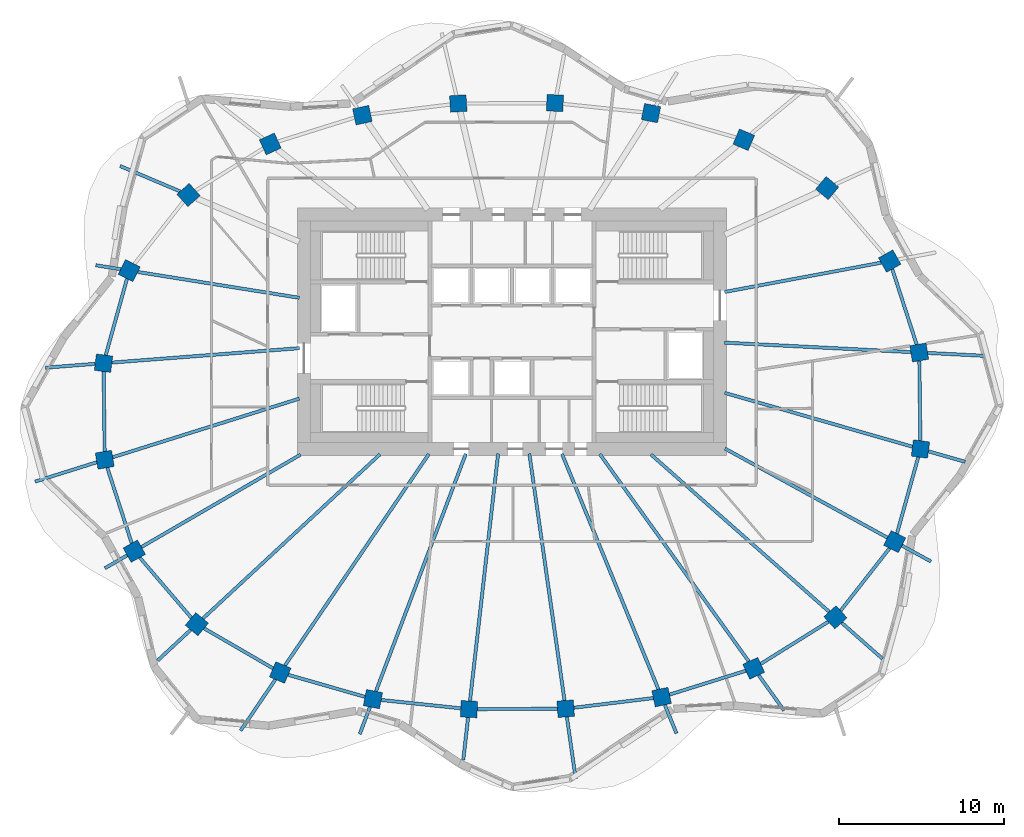
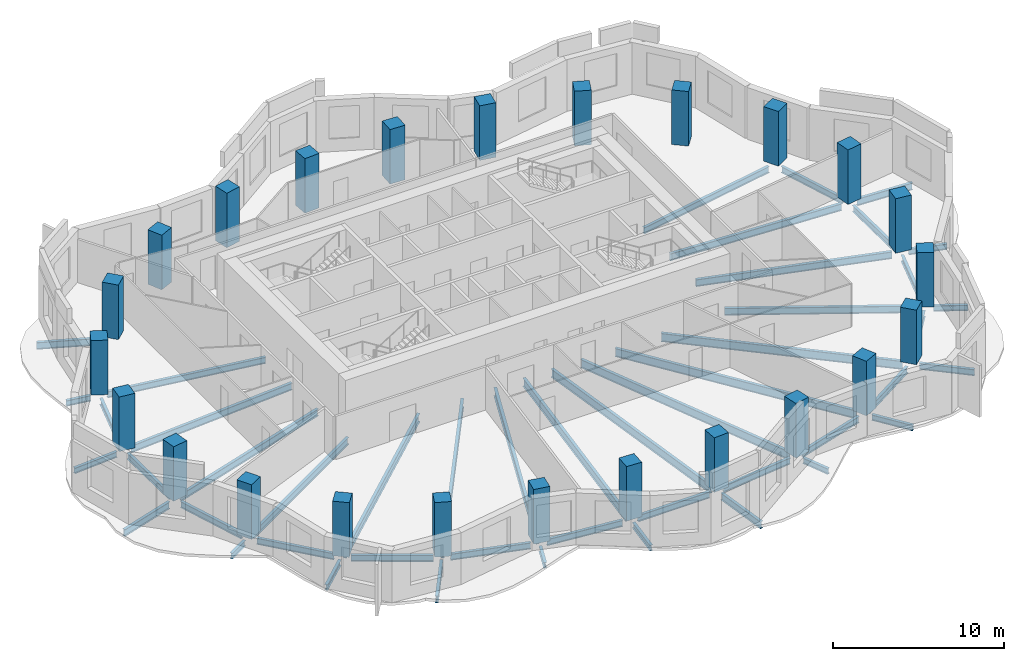
# One storey, part 1 of 9: 47 beams, 24 columns.
"""IFC4 building model written with IfcOpenShell, lengths in metres."""

from ifc_helpers import new_model, si_unit, direction, frame, origin, origin_2d, place, context, subcontext, project, spatial, rectangle, i_section, extrude, material, material_profile, profile_set, type_object, element, save


model = new_model("IFC4")

# Units and contexts
model_context = context("Model", 3, precision=1e-05, world=origin(), true_north=direction((0.0, 1.0)))
body_context = subcontext(model_context, "Body", "Model", "MODEL_VIEW")
ifc_project = project(units=[si_unit("LENGTHUNIT", "METRE"), si_unit("AREAUNIT", "SQUARE_METRE"), si_unit("VOLUMEUNIT", "CUBIC_METRE"), si_unit("PLANEANGLEUNIT", "RADIAN"), si_unit("MASSUNIT", "GRAM", prefix="KILO")], contexts=[model_context])

# Site, building, storey
site_placement = place(None, origin())
site = spatial("IfcSite", under=ifc_project, at=site_placement, CompositionType="ELEMENT")
building_placement = place(site_placement, origin())
building = spatial("IfcBuilding", under=site, at=building_placement, Name="Rubra Terraces Tower", CompositionType="ELEMENT")
storey_placement = place(building_placement, frame((0.0, 0.0, 248.699951171875)))
storey = spatial("IfcBuildingStorey", under=building, at=storey_placement, Name="L61", CompositionType="ELEMENT", Elevation=248.699951171875)

# Columns
ifc_material_1 = material(Name="Concrete C50", Category="concrete")
ifc_material_profile_1 = material_profile(ifc_material_1, rectangle(XDim=1.0, YDim=1.0, at=origin_2d()), Name="RC 1000x1000")
ifc_profile_set_1 = profile_set([ifc_material_profile_1], Name="Concrete C50")
column_type = type_object("IfcColumnType", Name="RING COLUMN RC 1000x1000 C50", PredefinedType="COLUMN", material=ifc_profile_set_1)
for number, where, z_axis, x_axis, name in (
    (1, (24.6689453125, 3.248046875, 0.0), (0.0, 0.0, 1.0), (-0.161559167715, 0.986863027642, 0.0), "column-L61-ring-01"),
    (2, (22.87890625, 8.787109375, 0.0), (0.0, 0.0, 1.0), (-0.48852601316, 0.872549330678, 0.0), "column-L61-ring-02"),
    (3, (19.092041015625, 13.208984375, 0.0), (0.0, 0.0, 1.0), (-0.76886986222, 0.63940529789, 0.0), "column-L61-ring-03"),
    (4, (14.0419921875, 16.135986328125, 0.0), (0.0, 0.0, 1.0), (-0.920167856842, 0.391524092789, 0.0), "column-L61-ring-04"),
    (5, (8.422119140625, 17.7490234375, 0.0), (0.0, 0.0, 1.0), (-0.981654668733, 0.19066754143, 0.0), "column-L61-ring-05"),
    (6, (2.60205078125, 18.35791015625, 0.0), (0.0, 0.0, 1.0), (-0.998764256028, 0.049698700995, 0.0), "column-L61-ring-06"),
    (7, (-3.25390625, 18.330078125, 0.0), (0.0, 0.0, 1.0), (-0.998031548759, -0.062713855578, 0.0), "column-L61-ring-07"),
    (8, (-9.06298828125, 17.625, 0.0), (0.0, 0.0, 1.0), (-0.977652674797, -0.210226657352, 0.0), "column-L61-ring-08"),
    (9, (-14.64306640625, 15.881103515625, 0.0), (0.0, 0.0, 1.0), (-0.908778580451, -0.417278673927, 0.0), "column-L61-ring-09"),
    (10, (-19.593017578125, 12.7900390625, 0.0), (0.0, 0.0, 1.0), (-0.744021317198, -0.668155879683, 0.0), "column-L61-ring-10"),
    (11, (-23.18505859375, 8.2099609375, 0.0), (0.0, 0.0, 1.0), (-0.451027931402, -0.892509834733, 0.0), "column-L61-ring-11"),
    (12, (-24.742919921875, 2.59912109375, 0.0), (0.0, 0.0, 1.0), (-0.128443684554, -0.991716804283, 0.0), "column-L61-ring-12"),
    (13, (-24.6689453125, -3.248046875, 0.0), (0.0, 0.0, 1.0), (0.161559167715, -0.986863027642, 0.0), "column-L61-ring-13"),
    (14, (-22.87890625, -8.787109375, 0.0), (0.0, 0.0, 1.0), (0.48852601316, -0.872549330678, 0.0), "column-L61-ring-14"),
    (15, (-19.092041015625, -13.208984375, 0.0), (0.0, 0.0, 1.0), (0.76886986222, -0.63940529789, 0.0), "column-L61-ring-15"),
    (16, (-14.0419921875, -16.135986328125, 0.0), (0.0, 0.0, 1.0), (0.920167856842, -0.391524092789, 0.0), "column-L61-ring-16"),
    (17, (-8.422119140625, -17.7490234375, 0.0), (0.0, 0.0, 1.0), (0.981654668733, -0.19066754143, 0.0), "column-L61-ring-17"),
    (18, (-2.60205078125, -18.35791015625, 0.0), (0.0, 0.0, 1.0), (0.998764256028, -0.049698700995, 0.0), "column-L61-ring-18"),
    (19, (3.25390625, -18.330078125, 0.0), (0.0, 0.0, 1.0), (0.998031548759, 0.062713855578, 0.0), "column-L61-ring-19"),
    (20, (9.06298828125, -17.625, 0.0), (0.0, 0.0, 1.0), (0.977652674797, 0.210226657352, 0.0), "column-L61-ring-20"),
    (21, (14.64306640625, -15.881103515625, 0.0), (0.0, 0.0, 1.0), (0.908778580451, 0.417278673927, 0.0), "column-L61-ring-21"),
    (22, (19.593017578125, -12.7900390625, 0.0), (0.0, 0.0, 1.0), (0.744021317198, 0.668155879683, 0.0), "column-L61-ring-22"),
    (23, (23.18505859375, -8.2099609375, 0.0), (0.0, 0.0, 1.0), (0.451027931402, 0.892509834733, 0.0), "column-L61-ring-23"),
    (24, (24.742919921875, -2.59912109375, 0.0), (0.0, 0.0, 1.0), (0.128443684554, 0.991716804283, 0.0), "column-L61-ring-24"),
):
    element("IfcColumn", number, at=place(storey_placement, frame(where, z_axis=z_axis, x_axis=x_axis)), inside=storey, type_object=column_type, Name=name, PredefinedType="COLUMN", context=body_context, shape_type="SweptSolid", body=[
        extrude(rectangle(XDim=1.0, YDim=1.0, at=origin_2d()), origin(), (0.0, 0.0, 1.0), 3.900146484375),
    ])

# Beams
ifc_material_2 = material(Name="Steel Q355B", Category="steel")
ifc_material_profile_2 = material_profile(ifc_material_2, i_section(OverallWidth=0.199951171875, OverallDepth=0.39990234375, WebThickness=0.008056640625, FlangeThickness=0.012939453125, at=origin_2d()), Name="HN 400x200x8x13")
ifc_profile_set_2 = profile_set([ifc_material_profile_2], Name="Steel Q355B")
beam_type_1 = type_object("IfcBeamType", Name="CANTILEVER BEAM HN 400x200x8x13", PredefinedType="BEAM", material=ifc_profile_set_2)
beam_1_placement = place(storey_placement, frame((-23.702880859375, 8.29296875, -0.39990234375), z_axis=(-0.987457595878, 0.15788443984, 0.0), x_axis=(-0.15788443984, -0.987457595878, 0.0)))
element("IfcBeam", 25, at=beam_1_placement, inside=storey, type_object=beam_type_1, Name="beam-L61-cant-11", PredefinedType="BEAM", context=body_context, shape_type="SweptSolid", body=[
    extrude(i_section(OverallWidth=0.199951171875, OverallDepth=0.39990234375, WebThickness=0.008056640625, FlangeThickness=0.012939453125, at=origin_2d()), origin(), (0.0, 0.0, 1.0), 1.526123046875),
])
beam_2_placement = place(storey_placement, frame((-25.251953125, 2.56005859375, -0.39990234375), z_axis=(-0.997072601127, -0.076460630923, 0.0), x_axis=(0.076460630923, -0.997072601127, 0.0)))
element("IfcBeam", 26, at=beam_2_placement, inside=storey, type_object=beam_type_1, Name="beam-L61-cant-12", PredefinedType="BEAM", context=body_context, shape_type="SweptSolid", body=[
    extrude(i_section(OverallWidth=0.199951171875, OverallDepth=0.39990234375, WebThickness=0.008056640625, FlangeThickness=0.012939453125, at=origin_2d()), origin(), (0.0, 0.0, 1.0), 3.0078125),
])
beam_3_placement = place(storey_placement, frame((-23.31103515625, -9.0380859375, -0.39990234375), z_axis=(-0.864659295888, -0.502358738387, 0.0), x_axis=(0.502358738387, -0.864659295888, 0.0)))
element("IfcBeam", 27, at=beam_3_placement, inside=storey, type_object=beam_type_1, Name="beam-L61-cant-14", PredefinedType="BEAM", context=body_context, shape_type="SweptSolid", body=[
    extrude(i_section(OverallWidth=0.199951171875, OverallDepth=0.39990234375, WebThickness=0.008056640625, FlangeThickness=0.012939453125, at=origin_2d()), origin(), (0.0, 0.0, 1.0), 1.556640625),
])
beam_4_placement = place(storey_placement, frame((-19.4619140625, -13.552001953125, -0.39990234375), z_axis=(-0.733087511933, -0.680134324856, 0.0), x_axis=(0.680134324856, -0.733087511933, 0.0)))
element("IfcBeam", 28, at=beam_4_placement, inside=storey, type_object=beam_type_1, Name="beam-L61-cant-15", PredefinedType="BEAM", context=body_context, shape_type="SweptSolid", body=[
    extrude(i_section(OverallWidth=0.199951171875, OverallDepth=0.39990234375, WebThickness=0.008056640625, FlangeThickness=0.012939453125, at=origin_2d()), origin(), (0.0, 0.0, 1.0), 2.72021484375),
])
beam_5_placement = place(storey_placement, frame((-8.60205078125, -18.222900390625, -0.39990234375), z_axis=(-0.353652069822, -0.935377043502, 0.0), x_axis=(0.935377043502, -0.353652069822, 0.0)))
element("IfcBeam", 29, at=beam_5_placement, inside=storey, type_object=beam_type_1, Name="beam-L61-cant-17", PredefinedType="BEAM", context=body_context, shape_type="SweptSolid", body=[
    extrude(i_section(OverallWidth=0.199951171875, OverallDepth=0.39990234375, WebThickness=0.008056640625, FlangeThickness=0.012939453125, at=origin_2d()), origin(), (0.0, 0.0, 1.0), 1.755615234375),
])
beam_6_placement = place(storey_placement, frame((-2.658935546875, -18.85595703125, -0.39990234375), z_axis=(-0.112928755401, -0.993603087859, 0.0), x_axis=(0.993603087859, -0.112928755401, 0.0)))
element("IfcBeam", 30, at=beam_6_placement, inside=storey, type_object=beam_type_1, Name="beam-L61-cant-18", PredefinedType="BEAM", context=body_context, shape_type="SweptSolid", body=[
    extrude(i_section(OverallWidth=0.199951171875, OverallDepth=0.39990234375, WebThickness=0.008056640625, FlangeThickness=0.012939453125, at=origin_2d()), origin(), (0.0, 0.0, 1.0), 2.585693359375),
])
beam_7_placement = place(storey_placement, frame((9.256103515625, -18.094970703125, -0.39990234375), z_axis=(0.37867364733, -0.925530263588, 0.0), x_axis=(0.925530263588, 0.37867364733, 0.0)))
element("IfcBeam", 31, at=beam_7_placement, inside=storey, type_object=beam_type_1, Name="beam-L61-cant-20", PredefinedType="BEAM", context=body_context, shape_type="SweptSolid", body=[
    extrude(i_section(OverallWidth=0.199951171875, OverallDepth=0.39990234375, WebThickness=0.008056640625, FlangeThickness=0.012939453125, at=origin_2d()), origin(), (0.0, 0.0, 1.0), 1.864013671875),
])
beam_8_placement = place(storey_placement, frame((14.93994140625, -16.294921875, -0.39990234375), z_axis=(0.583494905514, -0.812116799013, 0.0), x_axis=(0.812116799013, 0.583494905514, 0.0)))
element("IfcBeam", 32, at=beam_8_placement, inside=storey, type_object=beam_type_1, Name="beam-L61-cant-21", PredefinedType="BEAM", context=body_context, shape_type="SweptSolid", body=[
    extrude(i_section(OverallWidth=0.199951171875, OverallDepth=0.39990234375, WebThickness=0.008056640625, FlangeThickness=0.012939453125, at=origin_2d()), origin(), (0.0, 0.0, 1.0), 2.6376953125),
])
beam_9_placement = place(storey_placement, frame((23.6240234375, -8.449951171875, -0.39990234375), z_axis=(0.876885480476, -0.480699338601, 0.0), x_axis=(0.480699338601, 0.876885480476, 0.0)))
element("IfcBeam", 33, at=beam_9_placement, inside=storey, type_object=beam_type_1, Name="beam-L61-cant-23", PredefinedType="BEAM", context=body_context, shape_type="SweptSolid", body=[
    extrude(i_section(OverallWidth=0.199951171875, OverallDepth=0.39990234375, WebThickness=0.008056640625, FlangeThickness=0.012939453125, at=origin_2d()), origin(), (0.0, 0.0, 1.0), 1.9990234375),
])
beam_10_placement = place(storey_placement, frame((25.22900390625, -2.738037109375, -0.39990234375), z_axis=(0.961119526587, -0.276132677554, 0.0), x_axis=(0.276132677554, 0.961119526587, 0.0)))
element("IfcBeam", 34, at=beam_10_placement, inside=storey, type_object=beam_type_1, Name="beam-L61-cant-24", PredefinedType="BEAM", context=body_context, shape_type="SweptSolid", body=[
    extrude(i_section(OverallWidth=0.199951171875, OverallDepth=0.39990234375, WebThickness=0.008056640625, FlangeThickness=0.012939453125, at=origin_2d()), origin(), (0.0, 0.0, 1.0), 2.306640625),
])
ifc_material_profile_3 = material_profile(ifc_material_2, i_section(OverallWidth=0.198974609375, OverallDepth=0.446044921875, WebThickness=0.008056640625, FlangeThickness=0.011962890625, at=origin_2d()), Name="HN 446x199x8x12")
ifc_profile_set_3 = profile_set([ifc_material_profile_3], Name="Steel Q355B")
beam_type_2 = type_object("IfcBeamType", Name="CANTILEVER BEAM HN 446x199x8x12", PredefinedType="BEAM", material=ifc_profile_set_3)
beam_11_placement = place(storey_placement, frame((19.969970703125, -13.123046875, -0.4228515625), z_axis=(0.749902745466, -0.661548087702, 0.0), x_axis=(0.661548087702, 0.749902745466, 0.0)))
element("IfcBeam", 35, at=beam_11_placement, inside=storey, type_object=beam_type_2, Name="beam-L61-cant-22", PredefinedType="BEAM", context=body_context, shape_type="SweptSolid", body=[
    extrude(i_section(OverallWidth=0.198974609375, OverallDepth=0.446044921875, WebThickness=0.008056640625, FlangeThickness=0.011962890625, at=origin_2d()), origin(), (0.0, 0.0, 1.0), 3.293701171875),
])
ifc_material_profile_4 = material_profile(ifc_material_2, i_section(OverallWidth=0.198974609375, OverallDepth=0.49609375, WebThickness=0.009033203125, FlangeThickness=0.013916015625, at=origin_2d()), Name="HN 496x199x9x14")
ifc_profile_set_4 = profile_set([ifc_material_profile_4], Name="Steel Q355B")
beam_type_3 = type_object("IfcBeamType", Name="CANTILEVER BEAM HN 496x199x9x14", PredefinedType="BEAM", material=ifc_profile_set_4)
beam_12_placement = place(storey_placement, frame((25.179931640625, 3.221923828125, -0.447998046875), z_axis=(0.998713760082, -0.050703307804, 0.0), x_axis=(0.050703307804, 0.998713760082, 0.0)))
element("IfcBeam", 36, at=beam_12_placement, inside=storey, type_object=beam_type_3, Name="beam-L61-cant-01", PredefinedType="BEAM", context=body_context, shape_type="SweptSolid", body=[
    extrude(i_section(OverallWidth=0.198974609375, OverallDepth=0.49609375, WebThickness=0.009033203125, FlangeThickness=0.013916015625, at=origin_2d()), origin(), (0.0, 0.0, 1.0), 3.625732421875),
])
beam_13_placement = place(storey_placement, frame((-20.10205078125, 13.0048828125, -0.447998046875), z_axis=(-0.920935678628, 0.389714608181, 0.0), x_axis=(-0.389714608181, -0.920935678628, 0.0)))
element("IfcBeam", 37, at=beam_13_placement, inside=storey, type_object=beam_type_3, Name="beam-L61-cant-10", PredefinedType="BEAM", context=body_context, shape_type="SweptSolid", body=[
    extrude(i_section(OverallWidth=0.198974609375, OverallDepth=0.49609375, WebThickness=0.009033203125, FlangeThickness=0.013916015625, at=origin_2d()), origin(), (0.0, 0.0, 1.0), 3.94921875),
])
beam_14_placement = place(storey_placement, frame((-25.15087890625, -3.39892578125, -0.447998046875), z_axis=(-0.954029392864, -0.299713058693, 0.0), x_axis=(0.299713058693, -0.954029392864, 0.0)))
element("IfcBeam", 38, at=beam_14_placement, inside=storey, type_object=beam_type_3, Name="beam-L61-cant-13", PredefinedType="BEAM", context=body_context, shape_type="SweptSolid", body=[
    extrude(i_section(OverallWidth=0.198974609375, OverallDepth=0.49609375, WebThickness=0.009033203125, FlangeThickness=0.013916015625, at=origin_2d()), origin(), (0.0, 0.0, 1.0), 3.9140625),
])
beam_15_placement = place(storey_placement, frame((-14.3291015625, -16.556884765625, -0.447998046875), z_axis=(-0.562402665117, -0.826863496757, 0.0), x_axis=(0.826863496757, -0.562402665117, 0.0)))
element("IfcBeam", 39, at=beam_15_placement, inside=storey, type_object=beam_type_3, Name="beam-L61-cant-16", PredefinedType="BEAM", context=body_context, shape_type="SweptSolid", body=[
    extrude(i_section(OverallWidth=0.198974609375, OverallDepth=0.49609375, WebThickness=0.009033203125, FlangeThickness=0.013916015625, at=origin_2d()), origin(), (0.0, 0.0, 1.0), 3.748046875),
])
beam_16_placement = place(storey_placement, frame((3.324951171875, -18.826904296875, -0.447998046875), z_axis=(0.140976698225, -0.990012914339, 0.0), x_axis=(0.990012914339, 0.140976698225, 0.0)))
element("IfcBeam", 40, at=beam_16_placement, inside=storey, type_object=beam_type_3, Name="beam-L61-cant-19", PredefinedType="BEAM", context=body_context, shape_type="SweptSolid", body=[
    extrude(i_section(OverallWidth=0.198974609375, OverallDepth=0.49609375, WebThickness=0.009033203125, FlangeThickness=0.013916015625, at=origin_2d()), origin(), (0.0, 0.0, 1.0), 3.7666015625),
])
ifc_material_profile_5 = material_profile(ifc_material_2, i_section(OverallWidth=0.198974609375, OverallDepth=0.446044921875, WebThickness=0.008056640625, FlangeThickness=0.011962890625, at=origin_2d()), Name="HN 446x199x8x12")
ifc_profile_set_5 = profile_set([ifc_material_profile_5], Name="Steel Q355B")
beam_type_4 = type_object("IfcBeamType", Name="FLOOR BEAM HN 446x199x8x12", PredefinedType="BEAM", material=ifc_profile_set_5)
beam_17_placement = place(storey_placement, frame((22.360107421875, 8.68994140625, -0.4228515625), z_axis=(-0.982895681695, -0.18416318553, 0.0), x_axis=(0.18416318553, -0.982895681695, 0.0)))
element("IfcBeam", 41, at=beam_17_placement, inside=storey, type_object=beam_type_4, Name="beam-L61-floor-02", PredefinedType="BEAM", context=body_context, shape_type="SweptSolid", body=[
    extrude(i_section(OverallWidth=0.198974609375, OverallDepth=0.446044921875, WebThickness=0.008056640625, FlangeThickness=0.011962890625, at=origin_2d()), origin(), (0.0, 0.0, 1.0), 9.64306640625),
])
beam_18_placement = place(storey_placement, frame((-22.6669921875, 8.126953125, -0.4228515625), z_axis=(0.987435404133, -0.158023171289, 0.0), x_axis=(0.158023171289, 0.987435404133, 0.0)))
element("IfcBeam", 42, at=beam_18_placement, inside=storey, type_object=beam_type_4, Name="beam-L61-floor-11", PredefinedType="BEAM", context=body_context, shape_type="SweptSolid", body=[
    extrude(i_section(OverallWidth=0.198974609375, OverallDepth=0.446044921875, WebThickness=0.008056640625, FlangeThickness=0.011962890625, at=origin_2d()), origin(), (0.0, 0.0, 1.0), 9.909423828125),
])
ifc_material_profile_6 = material_profile(ifc_material_2, i_section(OverallWidth=0.198974609375, OverallDepth=0.49609375, WebThickness=0.009033203125, FlangeThickness=0.013916015625, at=origin_2d()), Name="HN 496x199x9x14")
ifc_profile_set_6 = profile_set([ifc_material_profile_6], Name="Steel Q355B")
beam_type_5 = type_object("IfcBeamType", Name="FLOOR BEAM HN 496x199x9x14", PredefinedType="BEAM", material=ifc_profile_set_6)
beam_19_placement = place(storey_placement, frame((24.157958984375, 3.27392578125, -0.447998046875), z_axis=(-0.998716228561, 0.050654662269, 0.0), x_axis=(-0.050654662269, -0.998716228561, 0.0)))
element("IfcBeam", 43, at=beam_19_placement, inside=storey, type_object=beam_type_5, Name="beam-L61-floor-01", PredefinedType="BEAM", context=body_context, shape_type="SweptSolid", body=[
    extrude(i_section(OverallWidth=0.198974609375, OverallDepth=0.49609375, WebThickness=0.009033203125, FlangeThickness=0.013916015625, at=origin_2d()), origin(), (0.0, 0.0, 1.0), 11.29248046875),
])
beam_20_placement = place(storey_placement, frame((-24.23388671875, 2.637939453125, -0.447998046875), z_axis=(0.997063306908, 0.076581734234, 0.0), x_axis=(-0.076581734234, 0.997063306908, 0.0)))
element("IfcBeam", 44, at=beam_20_placement, inside=storey, type_object=beam_type_5, Name="beam-L61-floor-12", PredefinedType="BEAM", context=body_context, shape_type="SweptSolid", body=[
    extrude(i_section(OverallWidth=0.198974609375, OverallDepth=0.49609375, WebThickness=0.009033203125, FlangeThickness=0.013916015625, at=origin_2d()), origin(), (0.0, 0.0, 1.0), 11.387451171875),
])
beam_21_placement = place(storey_placement, frame((-24.18701171875, -3.096923828125, -0.447998046875), z_axis=(0.954040699023, 0.299677067204, 0.0), x_axis=(-0.299677067204, 0.954040699023, 0.0)))
element("IfcBeam", 45, at=beam_21_placement, inside=storey, type_object=beam_type_5, Name="beam-L61-floor-13", PredefinedType="BEAM", context=body_context, shape_type="SweptSolid", body=[
    extrude(i_section(OverallWidth=0.198974609375, OverallDepth=0.49609375, WebThickness=0.009033203125, FlangeThickness=0.013916015625, at=origin_2d()), origin(), (0.0, 0.0, 1.0), 11.845458984375),
])
beam_22_placement = place(storey_placement, frame((-22.447021484375, -8.535888671875, -0.447998046875), z_axis=(0.864755491844, 0.502193129508, 0.0), x_axis=(-0.502193129508, 0.864755491844, 0.0)))
element("IfcBeam", 46, at=beam_22_placement, inside=storey, type_object=beam_type_5, Name="beam-L61-floor-14", PredefinedType="BEAM", context=body_context, shape_type="SweptSolid", body=[
    extrude(i_section(OverallWidth=0.198974609375, OverallDepth=0.49609375, WebThickness=0.009033203125, FlangeThickness=0.013916015625, at=origin_2d()), origin(), (0.0, 0.0, 1.0), 11.14306640625),
])
beam_23_placement = place(storey_placement, frame((22.74609375, -7.969970703125, -0.447998046875), z_axis=(-0.876862055903, 0.480742066932, 0.0), x_axis=(-0.480742066932, -0.876862055903, 0.0)))
element("IfcBeam", 47, at=beam_23_placement, inside=storey, type_object=beam_type_5, Name="beam-L61-floor-23", PredefinedType="BEAM", context=body_context, shape_type="SweptSolid", body=[
    extrude(i_section(OverallWidth=0.198974609375, OverallDepth=0.49609375, WebThickness=0.009033203125, FlangeThickness=0.013916015625, at=origin_2d()), origin(), (0.0, 0.0, 1.0), 11.234375),
])
beam_24_placement = place(storey_placement, frame((24.257080078125, -2.4599609375, -0.447998046875), z_axis=(-0.961215754667, 0.275797521707, 0.0), x_axis=(-0.275797521707, -0.961215754667, 0.0)))
element("IfcBeam", 48, at=beam_24_placement, inside=storey, type_object=beam_type_5, Name="beam-L61-floor-24", PredefinedType="BEAM", context=body_context, shape_type="SweptSolid", body=[
    extrude(i_section(OverallWidth=0.198974609375, OverallDepth=0.49609375, WebThickness=0.009033203125, FlangeThickness=0.013916015625, at=origin_2d()), origin(), (0.0, 0.0, 1.0), 11.830810546875),
])
ifc_material_profile_7 = material_profile(ifc_material_2, i_section(OverallWidth=0.198974609375, OverallDepth=0.595947265625, WebThickness=0.010009765625, FlangeThickness=0.014892578125, at=origin_2d()), Name="HN 596x199x10x15")
ifc_profile_set_7 = profile_set([ifc_material_profile_7], Name="Steel Q355B")
beam_type_6 = type_object("IfcBeamType", Name="FLOOR BEAM HN 596x199x10x15", PredefinedType="BEAM", material=ifc_profile_set_7)
beam_25_placement = place(storey_placement, frame((-18.721923828125, -12.865966796875, -0.498046875), z_axis=(0.733130458484, 0.680088031687, 0.0), x_axis=(-0.680088031687, 0.733130458484, 0.0)))
element("IfcBeam", 49, at=beam_25_placement, inside=storey, type_object=beam_type_6, Name="beam-L61-floor-15", PredefinedType="BEAM", context=body_context, shape_type="SweptSolid", body=[
    extrude(i_section(OverallWidth=0.198974609375, OverallDepth=0.595947265625, WebThickness=0.010009765625, FlangeThickness=0.014892578125, at=origin_2d()), origin(), (0.0, 0.0, 1.0), 14.62744140625),
])
beam_26_placement = place(storey_placement, frame((-13.7548828125, -15.715087890625, -0.498046875), z_axis=(0.562545242124, 0.826766503049, 0.0), x_axis=(-0.826766503049, 0.562545242124, 0.0)))
element("IfcBeam", 50, at=beam_26_placement, inside=storey, type_object=beam_type_6, Name="beam-L61-floor-16", PredefinedType="BEAM", context=body_context, shape_type="SweptSolid", body=[
    extrude(i_section(OverallWidth=0.198974609375, OverallDepth=0.595947265625, WebThickness=0.010009765625, FlangeThickness=0.014892578125, at=origin_2d()), origin(), (0.0, 0.0, 1.0), 15.499267578125),
])
beam_27_placement = place(storey_placement, frame((-8.241943359375, -17.27490234375, -0.498046875), z_axis=(0.353955134415, 0.93526240319, 0.0), x_axis=(-0.93526240319, 0.353955134415, 0.0)))
element("IfcBeam", 51, at=beam_27_placement, inside=storey, type_object=beam_type_6, Name="beam-L61-floor-17", PredefinedType="BEAM", context=body_context, shape_type="SweptSolid", body=[
    extrude(i_section(OverallWidth=0.198974609375, OverallDepth=0.595947265625, WebThickness=0.010009765625, FlangeThickness=0.014892578125, at=origin_2d()), origin(), (0.0, 0.0, 1.0), 15.3828125),
])
beam_28_placement = place(storey_placement, frame((-2.544921875, -17.860107421875, -0.498046875), z_axis=(0.113084825914, 0.993585337124, 0.0), x_axis=(-0.993585337124, 0.113084825914, 0.0)))
element("IfcBeam", 52, at=beam_28_placement, inside=storey, type_object=beam_type_6, Name="beam-L61-floor-18", PredefinedType="BEAM", context=body_context, shape_type="SweptSolid", body=[
    extrude(i_section(OverallWidth=0.198974609375, OverallDepth=0.595947265625, WebThickness=0.010009765625, FlangeThickness=0.014892578125, at=origin_2d()), origin(), (0.0, 0.0, 1.0), 15.07568359375),
])
beam_29_placement = place(storey_placement, frame((3.18310546875, -17.8330078125, -0.498046875), z_axis=(-0.141104514479, 0.989994705033, 0.0), x_axis=(-0.989994705033, -0.141104514479, 0.0)))
element("IfcBeam", 53, at=beam_29_placement, inside=storey, type_object=beam_type_6, Name="beam-L61-floor-19", PredefinedType="BEAM", context=body_context, shape_type="SweptSolid", body=[
    extrude(i_section(OverallWidth=0.198974609375, OverallDepth=0.595947265625, WebThickness=0.010009765625, FlangeThickness=0.014892578125, at=origin_2d()), origin(), (0.0, 0.0, 1.0), 15.10302734375),
])
beam_30_placement = place(storey_placement, frame((8.8701171875, -17.155029296875, -0.498046875), z_axis=(-0.379015131933, 0.925390474214, 0.0), x_axis=(-0.925390474214, -0.379015131933, 0.0)))
element("IfcBeam", 54, at=beam_30_placement, inside=storey, type_object=beam_type_6, Name="beam-L61-floor-20", PredefinedType="BEAM", context=body_context, shape_type="SweptSolid", body=[
    extrude(i_section(OverallWidth=0.198974609375, OverallDepth=0.595947265625, WebThickness=0.010009765625, FlangeThickness=0.014892578125, at=origin_2d()), origin(), (0.0, 0.0, 1.0), 15.416259765625),
])
beam_31_placement = place(storey_placement, frame((14.345947265625, -15.467041015625, -0.498046875), z_axis=(-0.583528740197, 0.812092488183, 0.0), x_axis=(-0.812092488183, -0.583528740197, 0.0)))
element("IfcBeam", 55, at=beam_31_placement, inside=storey, type_object=beam_type_6, Name="beam-L61-floor-21", PredefinedType="BEAM", context=body_context, shape_type="SweptSolid", body=[
    extrude(i_section(OverallWidth=0.198974609375, OverallDepth=0.595947265625, WebThickness=0.010009765625, FlangeThickness=0.014892578125, at=origin_2d()), origin(), (0.0, 0.0, 1.0), 15.47119140625),
])
beam_32_placement = place(storey_placement, frame((19.216064453125, -12.45703125, -0.498046875), z_axis=(-0.749823025288, 0.661638444128, 0.0), x_axis=(-0.661638444128, -0.749823025288, 0.0)))
element("IfcBeam", 56, at=beam_32_placement, inside=storey, type_object=beam_type_6, Name="beam-L61-floor-22", PredefinedType="BEAM", context=body_context, shape_type="SweptSolid", body=[
    extrude(i_section(OverallWidth=0.198974609375, OverallDepth=0.595947265625, WebThickness=0.010009765625, FlangeThickness=0.014892578125, at=origin_2d()), origin(), (0.0, 0.0, 1.0), 14.412841796875),
])
ifc_material_profile_8 = material_profile(ifc_material_2, i_section(OverallWidth=0.198974609375, OverallDepth=0.446044921875, WebThickness=0.008056640625, FlangeThickness=0.011962890625, at=origin_2d()), Name="HN 446x199x8x12")
ifc_profile_set_8 = profile_set([ifc_material_profile_8], Name="Steel Q355B")
beam_type_7 = type_object("IfcBeamType", Name="SPANDREL BEAM HN 446x199x8x12", PredefinedType="SPANDREL", material=ifc_profile_set_8)
beam_33_placement = place(storey_placement, frame((24.512939453125, 3.72900390625, -0.4228515625), z_axis=(-0.307359002872, 0.951593633519, 0.0), x_axis=(-0.951593633519, -0.307359002872, 0.0)))
element("IfcBeam", 57, at=beam_33_placement, inside=storey, type_object=beam_type_7, Name="beam-L61-spandrel-01", PredefinedType="SPANDREL", context=body_context, shape_type="SweptSolid", body=[
    extrude(i_section(OverallWidth=0.198974609375, OverallDepth=0.446044921875, WebThickness=0.008056640625, FlangeThickness=0.011962890625, at=origin_2d()), origin(), (0.0, 0.0, 1.0), 4.8056640625),
])
beam_34_placement = place(storey_placement, frame((-23.321044921875, 7.718994140625, -0.4228515625), z_axis=(-0.267625533012, -0.963523001324, 0.0), x_axis=(0.963523001324, -0.267625533012, 0.0)))
element("IfcBeam", 58, at=beam_34_placement, inside=storey, type_object=beam_type_7, Name="beam-L61-spandrel-11", PredefinedType="SPANDREL", context=body_context, shape_type="SweptSolid", body=[
    extrude(i_section(OverallWidth=0.198974609375, OverallDepth=0.446044921875, WebThickness=0.008056640625, FlangeThickness=0.011962890625, at=origin_2d()), origin(), (0.0, 0.0, 1.0), 4.808349609375),
])
beam_35_placement = place(storey_placement, frame((-24.737060546875, 2.093994140625, -0.4228515625), z_axis=(0.012822047643, -0.999917794168, 0.0), x_axis=(0.999917794168, 0.012822047643, 0.0)))
element("IfcBeam", 59, at=beam_35_placement, inside=storey, type_object=beam_type_7, Name="beam-L61-spandrel-12", PredefinedType="SPANDREL", context=body_context, shape_type="SweptSolid", body=[
    extrude(i_section(OverallWidth=0.198974609375, OverallDepth=0.446044921875, WebThickness=0.008056640625, FlangeThickness=0.011962890625, at=origin_2d()), origin(), (0.0, 0.0, 1.0), 4.83642578125),
])
beam_36_placement = place(storey_placement, frame((-24.512939453125, -3.72900390625, -0.4228515625), z_axis=(0.307359002872, -0.951593633519, 0.0), x_axis=(0.951593633519, 0.307359002872, 0.0)))
element("IfcBeam", 60, at=beam_36_placement, inside=storey, type_object=beam_type_7, Name="beam-L61-spandrel-13", PredefinedType="SPANDREL", context=body_context, shape_type="SweptSolid", body=[
    extrude(i_section(OverallWidth=0.198974609375, OverallDepth=0.446044921875, WebThickness=0.008056640625, FlangeThickness=0.011962890625, at=origin_2d()), origin(), (0.0, 0.0, 1.0), 4.8056640625),
])
beam_37_placement = place(storey_placement, frame((-22.547119140625, -9.174072265625, -0.4228515625), z_axis=(0.650372836218, -0.759615148552, 0.0), x_axis=(0.759615148552, 0.650372836218, 0.0)))
element("IfcBeam", 61, at=beam_37_placement, inside=storey, type_object=beam_type_7, Name="beam-L61-spandrel-14", PredefinedType="SPANDREL", context=body_context, shape_type="SweptSolid", body=[
    extrude(i_section(OverallWidth=0.198974609375, OverallDepth=0.446044921875, WebThickness=0.008056640625, FlangeThickness=0.011962890625, at=origin_2d()), origin(), (0.0, 0.0, 1.0), 4.804931640625),
])
beam_38_placement = place(storey_placement, frame((-18.653076171875, -13.462890625, -0.4228515625), z_axis=(0.865153680787, -0.501506838059, 0.0), x_axis=(0.501506838059, 0.865153680787, 0.0)))
element("IfcBeam", 62, at=beam_38_placement, inside=storey, type_object=beam_type_7, Name="beam-L61-spandrel-15", PredefinedType="SPANDREL", context=body_context, shape_type="SweptSolid", body=[
    extrude(i_section(OverallWidth=0.198974609375, OverallDepth=0.446044921875, WebThickness=0.008056640625, FlangeThickness=0.011962890625, at=origin_2d()), origin(), (0.0, 0.0, 1.0), 4.82568359375),
])
beam_39_placement = place(storey_placement, frame((-13.55810546875, -16.27490234375, -0.4228515625), z_axis=(0.961171164323, -0.275952881621, 0.0), x_axis=(0.275952881621, 0.961171164323, 0.0)))
element("IfcBeam", 63, at=beam_39_placement, inside=storey, type_object=beam_type_7, Name="beam-L61-spandrel-16", PredefinedType="SPANDREL", context=body_context, shape_type="SweptSolid", body=[
    extrude(i_section(OverallWidth=0.198974609375, OverallDepth=0.446044921875, WebThickness=0.008056640625, FlangeThickness=0.011962890625, at=origin_2d()), origin(), (0.0, 0.0, 1.0), 4.842041015625),
])
beam_40_placement = place(storey_placement, frame((-7.923095703125, -17.801025390625, -0.4228515625), z_axis=(0.994565426955, -0.104113454971, 0.0), x_axis=(0.104113454971, 0.994565426955, 0.0)))
element("IfcBeam", 64, at=beam_40_placement, inside=storey, type_object=beam_type_7, Name="beam-L61-spandrel-17", PredefinedType="SPANDREL", context=body_context, shape_type="SweptSolid", body=[
    extrude(i_section(OverallWidth=0.198974609375, OverallDepth=0.446044921875, WebThickness=0.008056640625, FlangeThickness=0.011962890625, at=origin_2d()), origin(), (0.0, 0.0, 1.0), 4.849365234375),
])
beam_41_placement = place(storey_placement, frame((-2.10107421875, -18.35595703125, -0.4228515625), z_axis=(0.999987852299, 0.004929021704, 0.0), x_axis=(-0.004929021704, 0.999987852299, 0.0)))
element("IfcBeam", 65, at=beam_41_placement, inside=storey, type_object=beam_type_7, Name="beam-L61-spandrel-18", PredefinedType="SPANDREL", context=body_context, shape_type="SweptSolid", body=[
    extrude(i_section(OverallWidth=0.198974609375, OverallDepth=0.446044921875, WebThickness=0.008056640625, FlangeThickness=0.011962890625, at=origin_2d()), origin(), (0.0, 0.0, 1.0), 4.85400390625),
])
beam_42_placement = place(storey_placement, frame((3.7509765625, -18.27001953125, -0.4228515625), z_axis=(0.992698018573, 0.120626049929, 0.0), x_axis=(-0.120626049929, 0.992698018573, 0.0)))
element("IfcBeam", 66, at=beam_42_placement, inside=storey, type_object=beam_type_7, Name="beam-L61-spandrel-19", PredefinedType="SPANDREL", context=body_context, shape_type="SweptSolid", body=[
    extrude(i_section(OverallWidth=0.198974609375, OverallDepth=0.446044921875, WebThickness=0.008056640625, FlangeThickness=0.011962890625, at=origin_2d()), origin(), (0.0, 0.0, 1.0), 4.849365234375),
])
beam_43_placement = place(storey_placement, frame((9.5419921875, -17.47509765625, -0.4228515625), z_axis=(0.954462027342, 0.298332429282, 0.0), x_axis=(-0.298332429282, 0.954462027342, 0.0)))
element("IfcBeam", 67, at=beam_43_placement, inside=storey, type_object=beam_type_7, Name="beam-L61-spandrel-20", PredefinedType="SPANDREL", context=body_context, shape_type="SweptSolid", body=[
    extrude(i_section(OverallWidth=0.198974609375, OverallDepth=0.446044921875, WebThickness=0.008056640625, FlangeThickness=0.011962890625, at=origin_2d()), origin(), (0.0, 0.0, 1.0), 4.840576171875),
])
beam_44_placement = place(storey_placement, frame((15.071044921875, -15.614013671875, -0.4228515625), z_axis=(0.848183088492, 0.529703170083, 0.0), x_axis=(-0.529703170083, 0.848183088492, 0.0)))
element("IfcBeam", 68, at=beam_44_placement, inside=storey, type_object=beam_type_7, Name="beam-L61-spandrel-21", PredefinedType="SPANDREL", context=body_context, shape_type="SweptSolid", body=[
    extrude(i_section(OverallWidth=0.198974609375, OverallDepth=0.446044921875, WebThickness=0.008056640625, FlangeThickness=0.011962890625, at=origin_2d()), origin(), (0.0, 0.0, 1.0), 4.8232421875),
])
beam_45_placement = place(storey_placement, frame((19.906005859375, -12.39111328125, -0.4228515625), z_axis=(0.617060338015, 0.786915840004, 0.0), x_axis=(-0.786915840004, 0.617060338015, 0.0)))
element("IfcBeam", 69, at=beam_45_placement, inside=storey, type_object=beam_type_7, Name="beam-L61-spandrel-22", PredefinedType="SPANDREL", context=body_context, shape_type="SweptSolid", body=[
    extrude(i_section(OverallWidth=0.198974609375, OverallDepth=0.446044921875, WebThickness=0.008056640625, FlangeThickness=0.011962890625, at=origin_2d()), origin(), (0.0, 0.0, 1.0), 4.8037109375),
])
beam_46_placement = place(storey_placement, frame((23.321044921875, -7.718994140625, -0.4228515625), z_axis=(0.267625533012, 0.963523001324, 0.0), x_axis=(-0.963523001324, 0.267625533012, 0.0)))
element("IfcBeam", 70, at=beam_46_placement, inside=storey, type_object=beam_type_7, Name="beam-L61-spandrel-23", PredefinedType="SPANDREL", context=body_context, shape_type="SweptSolid", body=[
    extrude(i_section(OverallWidth=0.198974609375, OverallDepth=0.446044921875, WebThickness=0.008056640625, FlangeThickness=0.011962890625, at=origin_2d()), origin(), (0.0, 0.0, 1.0), 4.808349609375),
])
beam_47_placement = place(storey_placement, frame((24.737060546875, -2.093994140625, -0.4228515625), z_axis=(-0.012822047643, 0.999917794168, 0.0), x_axis=(-0.999917794168, -0.012822047643, 0.0)))
element("IfcBeam", 71, at=beam_47_placement, inside=storey, type_object=beam_type_7, Name="beam-L61-spandrel-24", PredefinedType="SPANDREL", context=body_context, shape_type="SweptSolid", body=[
    extrude(i_section(OverallWidth=0.198974609375, OverallDepth=0.446044921875, WebThickness=0.008056640625, FlangeThickness=0.011962890625, at=origin_2d()), origin(), (0.0, 0.0, 1.0), 4.83642578125),
])

save(model, "model.ifc")
